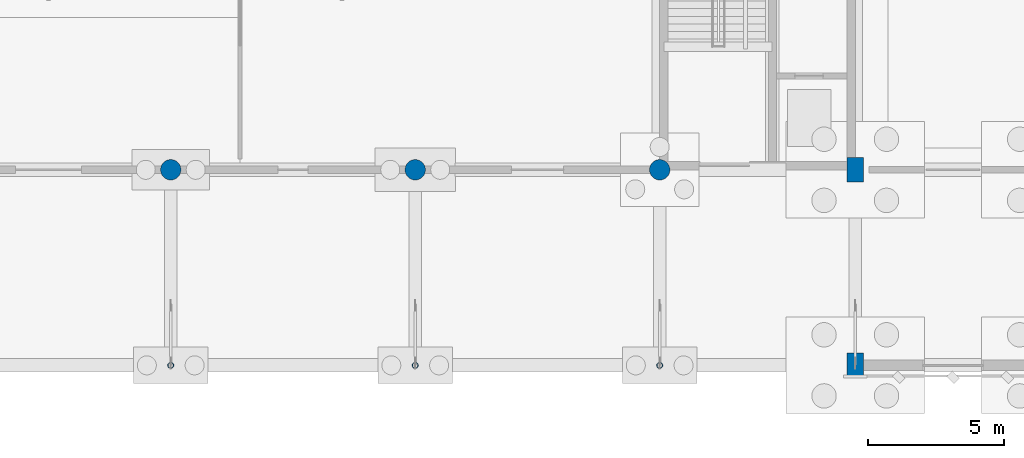
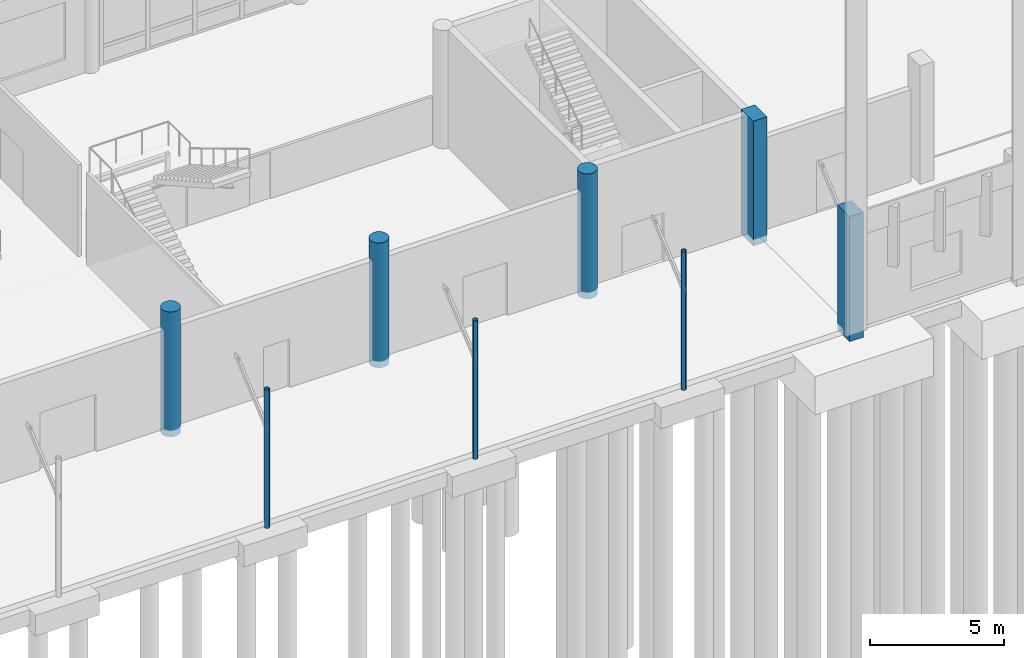
# One storey, part 20 of 109: 8 columns.
"""IFC4 building model written with IfcOpenShell, lengths in metres."""

from ifc_helpers import new_model, si_unit, direction, frame, origin, origin_2d, place, context, subcontext, project, spatial, rectangle, circle, hollow_circle, extrude, material, material_profile, profile_set, type_object, element, save


model = new_model("IFC4")

# Units and contexts
model_context = context("Model", 3, precision=1e-05, world=origin(), true_north=direction((0.0, 1.0)))
body_context = subcontext(model_context, "Body", "Model", "MODEL_VIEW")
ifc_project = project(units=[si_unit("LENGTHUNIT", "METRE"), si_unit("AREAUNIT", "SQUARE_METRE"), si_unit("VOLUMEUNIT", "CUBIC_METRE"), si_unit("PLANEANGLEUNIT", "RADIAN"), si_unit("MASSUNIT", "GRAM", prefix="KILO")], contexts=[model_context])

# Site, building, storey
site_placement = place(None, origin())
site = spatial("IfcSite", under=ifc_project, at=site_placement, CompositionType="ELEMENT")
building_placement = place(site_placement, origin())
building = spatial("IfcBuilding", under=site, at=building_placement, Name="Lusvemor Sports Hall", CompositionType="ELEMENT")
storey_placement = place(building_placement, origin())
storey = spatial("IfcBuildingStorey", under=building, at=storey_placement, Name="L00", CompositionType="ELEMENT", Elevation=0.0)

# Columns
ifc_material_1 = material(Name="Steel S355", Category="steel")
ifc_material_profile_1 = material_profile(ifc_material_1, hollow_circle(Radius=0.109619140625, WallThickness=0.010009765625, at=origin_2d()), Name="CHS219.1x10.0")
ifc_profile_set_1 = profile_set([ifc_material_profile_1], Name="Steel S355")
column_type_1 = type_object("IfcColumnType", Name="COL_CANOPY_ST", PredefinedType="COLUMN", material=ifc_profile_set_1)
for number, where, z_axis, x_axis, name in (
    (1, (93.60009765625, 0.0, -0.300048828125), (0.0, 0.0, 1.0), (1.0, 0.0, 0.0), "Column 10/A (L00)"),
    (2, (102.60009765625, 0.0, -0.300048828125), (0.0, 0.0, 1.0), (1.0, 0.0, 0.0), "Column 11/A (L00)"),
    (3, (111.60009765625, 0.0, -0.300048828125), (0.0, 0.0, 1.0), (1.0, 0.0, 0.0), "Column 12/A (L00)"),
):
    element("IfcColumn", number, at=place(storey_placement, frame(where, z_axis=z_axis, x_axis=x_axis)), inside=storey, type_object=column_type_1, Name=name, PredefinedType="COLUMN", context=body_context, shape_type="SweptSolid", body=[
        extrude(hollow_circle(Radius=0.109619140625, WallThickness=0.010009765625, at=origin_2d()), origin(), (0.0, 0.0, 1.0), 6.320068359375),
    ])
ifc_material_2 = material(Name="Concrete C40/50", Category="concrete")
ifc_material_profile_2 = material_profile(ifc_material_2, circle(Radius=0.375, at=origin_2d()), Name="RCCIRC750")
ifc_profile_set_2 = profile_set([ifc_material_profile_2], Name="Concrete C40/50")
column_type_2 = type_object("IfcColumnType", Name="COL_FOYER_R", PredefinedType="COLUMN", material=ifc_profile_set_2)
for number, where, z_axis, x_axis, name in (
    (4, (93.60009765625, 7.199951171875, -0.300048828125), (0.0, 0.0, 1.0), (1.0, 0.0, 0.0), "Column 10/B (L00)"),
    (5, (102.60009765625, 7.199951171875, -0.300048828125), (0.0, 0.0, 1.0), (1.0, 0.0, 0.0), "Column 11/B (L00)"),
    (6, (111.60009765625, 7.199951171875, -0.300048828125), (0.0, 0.0, 1.0), (1.0, 0.0, 0.0), "Column 12/B (L00)"),
):
    element("IfcColumn", number, at=place(storey_placement, frame(where, z_axis=z_axis, x_axis=x_axis)), inside=storey, type_object=column_type_2, Name=name, PredefinedType="COLUMN", context=body_context, shape_type="SweptSolid", body=[
        extrude(circle(Radius=0.375, at=origin_2d()), origin(), (0.0, 0.0, 1.0), 5.699951171875),
    ])
ifc_material_3 = material(Name="Concrete C40/50", Category="concrete")
ifc_material_profile_3 = material_profile(ifc_material_3, rectangle(XDim=0.60009765625, YDim=0.89990234375, at=origin_2d()), Name="RC600x900")
ifc_profile_set_3 = profile_set([ifc_material_profile_3], Name="Concrete C40/50")
column_type_3 = type_object("IfcColumnType", Name="COL_STACK_E", PredefinedType="COLUMN", material=ifc_profile_set_3)
for number, where, z_axis, x_axis, name in (
    (7, (118.800048828125, 0.0, -0.300048828125), (0.0, 0.0, 1.0), (1.0, 0.0, 0.0), "Column 13/A (L00)"),
    (8, (118.800048828125, 7.199951171875, -0.300048828125), (0.0, 0.0, 1.0), (1.0, 0.0, 0.0), "Column 13/B (L00)"),
):
    element("IfcColumn", number, at=place(storey_placement, frame(where, z_axis=z_axis, x_axis=x_axis)), inside=storey, type_object=column_type_3, Name=name, PredefinedType="COLUMN", context=body_context, shape_type="SweptSolid", body=[
        extrude(rectangle(XDim=0.60009765625, YDim=0.89990234375, at=origin_2d()), origin(), (0.0, 0.0, 1.0), 5.699951171875),
    ])

save(model, "model.ifc")
